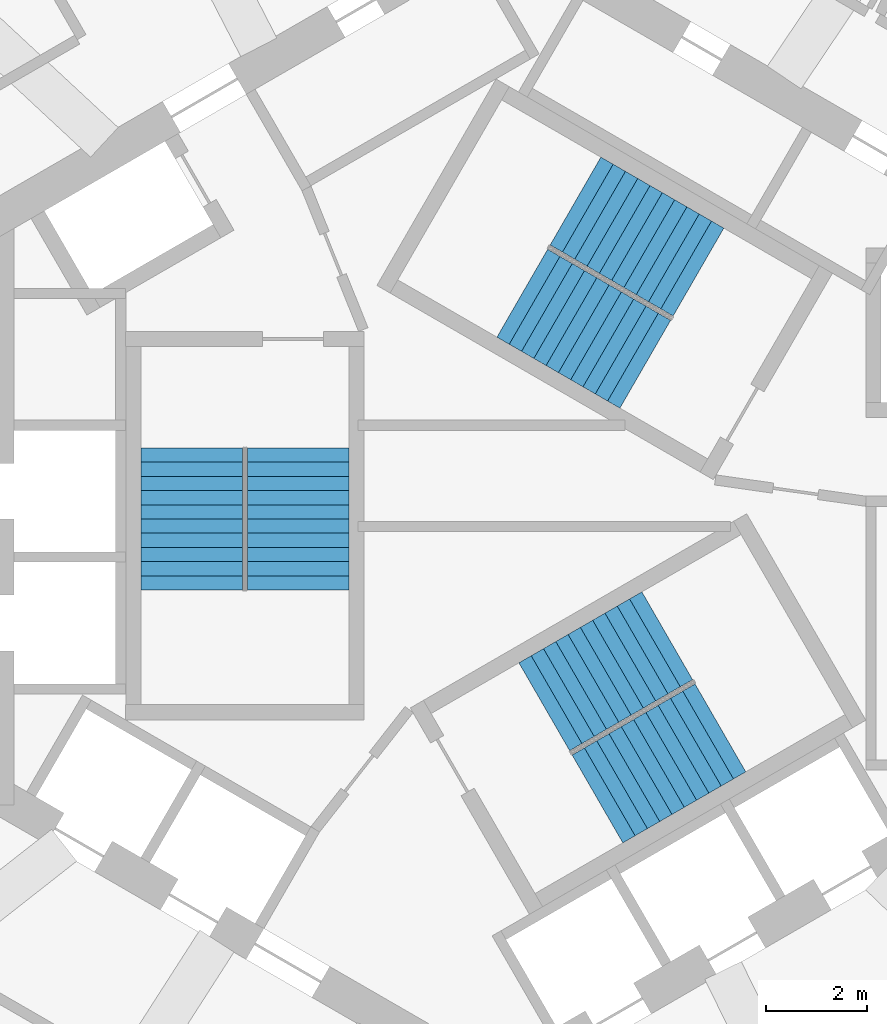
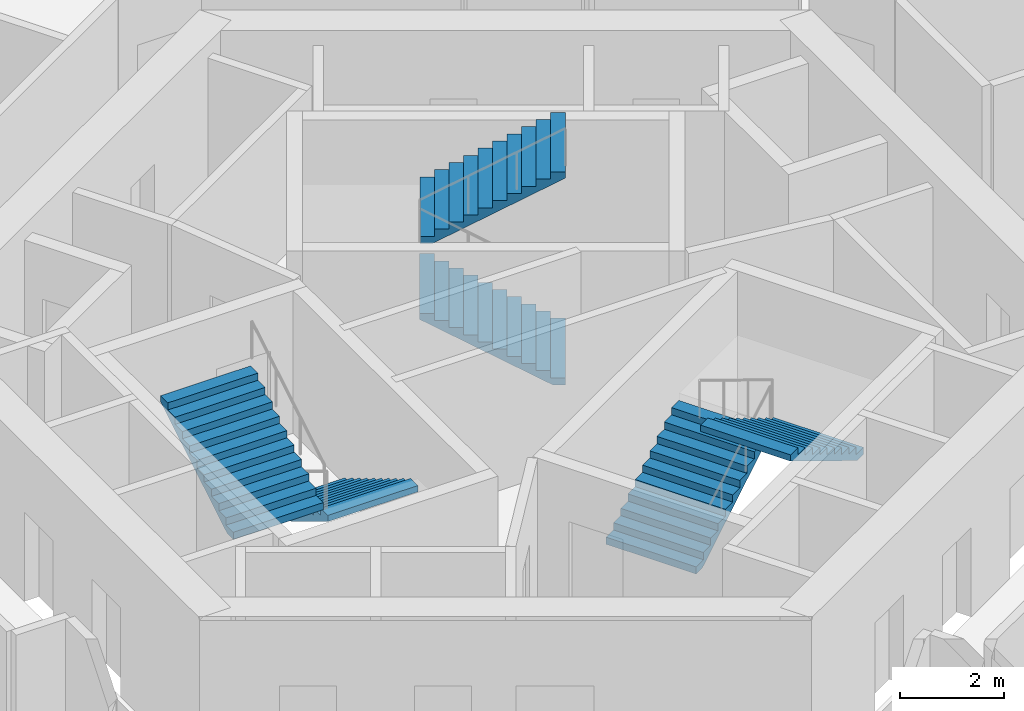
# One storey, part 9 of 11: 6 stair flights, 3 elements without a shape of their own.
"""IFC4 building model written with IfcOpenShell, lengths in metres."""

from ifc_helpers import new_model, si_unit, direction, frame, origin, place, context, subcontext, project, spatial, triangles, source, transform, mapped, material, type_object, element, aggregate, save


model = new_model("IFC4")

# Units and contexts
model_context = context("Model", 3, precision=1e-05, world=origin(), true_north=direction((0.0, 1.0)))
body_context = subcontext(model_context, "Body", "Model", "MODEL_VIEW")
ifc_project = project(units=[si_unit("LENGTHUNIT", "METRE"), si_unit("AREAUNIT", "SQUARE_METRE"), si_unit("VOLUMEUNIT", "CUBIC_METRE"), si_unit("PLANEANGLEUNIT", "RADIAN"), si_unit("MASSUNIT", "GRAM", prefix="KILO")], contexts=[model_context])

# Site, building, storey
site_placement = place(None, origin())
site = spatial("IfcSite", under=ifc_project, at=site_placement, CompositionType="ELEMENT")
building_placement = place(site_placement, origin())
building = spatial("IfcBuilding", under=site, at=building_placement, Name="Vanh Sen Convention Tower", CompositionType="ELEMENT")
storey_placement = place(building_placement, frame((0.0, 0.0, 296.800048828125)))
storey = spatial("IfcBuildingStorey", under=building, at=storey_placement, Name="L73", CompositionType="ELEMENT", Elevation=296.800048828125)

# Stair, stair flights
ifc_material_1 = material(Name="Concrete C50/60", Category="concrete")
stair_type_1 = type_object("IfcStairType", Name="Exit stair ST1 22 risers at 168.2", PredefinedType="HALF_TURN_STAIR", material=ifc_material_1)
stair_1_placement = place(storey_placement, origin())
stair_1 = element("IfcStair", 1, at=stair_1_placement, inside=storey, type_object=stair_type_1, Name="Exit stair ST1 L73", PredefinedType="HALF_TURN_STAIR")
ifc_material_2 = material(Name="Concrete C40/50", Category="concrete")
stair_flight_type = type_object("IfcStairFlightType", Name="Stair flight 2000", PredefinedType="STRAIGHT", material=ifc_material_2)
shared_shape = source(origin(), body_context, "Body", "Tessellation", [
    triangles([(0.24267578125, 1.0, 0.0), (0.0, 1.0, 0.0), (0.0, 1.0, 0.168212890625), (0.280029296875, 1.0, 0.168212890625), (0.280029296875, 1.0, 0.33642578125), (0.56005859375, 1.0, 0.33642578125), (0.56005859375, 1.0, 0.504638671875), (0.840087890625, 1.0, 0.504638671875), (0.840087890625, 1.0, 0.672607421875), (1.1201171875, 1.0, 0.672607421875), (1.1201171875, 1.0, 0.8408203125), (1.39990234375, 1.0, 0.8408203125), (1.39990234375, 1.0, 1.009033203125), (1.679931640625, 1.0, 1.009033203125), (1.679931640625, 1.0, 1.17724609375), (1.9599609375, 1.0, 1.17724609375), (1.9599609375, 1.0, 1.345458984375), (2.239990234375, 1.0, 1.345458984375), (2.239990234375, 1.0, 1.513671875), (2.52001953125, 1.0, 1.513671875), (2.52001953125, 1.0, 1.681884765625), (2.800048828125, 1.0, 1.681884765625), (2.800048828125, 1.0, 1.535888671875), (0.24267578125, -1.0, 0.0), (0.0, -1.0, 0.0), (0.0, -1.0, 0.168212890625), (0.280029296875, -1.0, 0.168212890625), (0.280029296875, -1.0, 0.33642578125), (0.56005859375, -1.0, 0.33642578125), (0.56005859375, -1.0, 0.504638671875), (0.840087890625, -1.0, 0.504638671875), (0.840087890625, -1.0, 0.672607421875), (1.1201171875, -1.0, 0.672607421875), (1.1201171875, -1.0, 0.8408203125), (1.39990234375, -1.0, 0.8408203125), (1.39990234375, -1.0, 1.009033203125), (1.679931640625, -1.0, 1.009033203125), (1.679931640625, -1.0, 1.17724609375), (1.9599609375, -1.0, 1.17724609375), (1.9599609375, -1.0, 1.345458984375), (2.239990234375, -1.0, 1.345458984375), (2.239990234375, -1.0, 1.513671875), (2.52001953125, -1.0, 1.513671875), (2.52001953125, -1.0, 1.681884765625), (2.800048828125, -1.0, 1.681884765625), (2.800048828125, -1.0, 1.535888671875), (0.0, 0.0400390625, 0.0), (0.0, 0.0390625, 0.0), (0.0, 0.0380859375, 0.0), (0.0, 0.037109375, 0.0), (0.0, 0.035888671875, 0.0), (0.0, 0.034912109375, 0.0), (0.0, 0.033935546875, 0.0), (0.0, 0.032958984375, 0.0), (0.0, 0.031982421875, 0.0), (0.0, 0.031005859375, 0.0), (0.0, 0.030029296875, 0.0), (0.0, 0.029052734375, 0.0), (0.0, 0.028076171875, 0.0), (0.0, 0.027099609375, 0.0), (0.0, 0.02587890625, 0.0), (0.0, 0.02490234375, 0.0), (0.0, 0.02392578125, 0.0), (0.0, 0.02294921875, 0.0), (0.0, 0.02197265625, 0.0), (0.0, 0.02099609375, 0.0), (0.0, 0.02001953125, 0.0), (0.0, 0.01904296875, 0.0), (0.0, 0.01806640625, 0.0), (0.0, 0.01708984375, 0.0), (0.0, 0.01611328125, 0.0), (0.0, 0.014892578125, 0.0), (0.0, 0.013916015625, 0.0), (0.0, 0.012939453125, 0.0), (0.0, 0.011962890625, 0.0), (0.0, 0.010986328125, 0.0), (0.0, 0.010009765625, 0.0), (0.0, 0.009033203125, 0.0), (0.0, 0.008056640625, 0.0), (0.0, 0.007080078125, 0.0), (0.0, 0.006103515625, 0.0), (0.0, 0.0048828125, 0.0), (0.0, 0.00390625, 0.0), (0.0, 0.0029296875, 0.0), (0.0, 0.001953125, 0.0), (0.0, 0.0009765625, 0.0), (0.0, 0.0, 0.0), (0.0, -0.0009765625, 0.0), (0.0, -0.001953125, 0.0), (0.0, -0.0029296875, 0.0), (0.0, -0.00390625, 0.0), (0.0, -0.0048828125, 0.0), (0.0, -0.006103515625, 0.0), (0.0, -0.007080078125, 0.0), (0.0, -0.008056640625, 0.0), (0.0, -0.009033203125, 0.0), (0.0, -0.010009765625, 0.0), (0.0, -0.010986328125, 0.0), (0.0, -0.011962890625, 0.0), (0.0, -0.012939453125, 0.0), (0.0, -0.013916015625, 0.0), (0.0, -0.014892578125, 0.0), (0.0, -0.01611328125, 0.0), (0.0, -0.01708984375, 0.0), (0.0, -0.01806640625, 0.0), (0.0, -0.01904296875, 0.0), (0.0, -0.02001953125, 0.0), (0.0, -0.02099609375, 0.0), (0.0, -0.02197265625, 0.0), (0.0, -0.02294921875, 0.0), (0.0, -0.02392578125, 0.0), (0.0, -0.02490234375, 0.0), (0.0, -0.02587890625, 0.0), (0.0, -0.027099609375, 0.0), (0.0, -0.028076171875, 0.0), (0.0, -0.029052734375, 0.0), (0.0, -0.030029296875, 0.0), (0.0, -0.031005859375, 0.0), (0.0, -0.031982421875, 0.0), (0.0, -0.032958984375, 0.0), (0.0, -0.033935546875, 0.0), (0.0, -0.034912109375, 0.0), (0.0, -0.035888671875, 0.0), (0.0, -0.037109375, 0.0), (0.0, -0.0380859375, 0.0), (0.0, -0.0390625, 0.0), (0.0, -0.0400390625, 0.0), (0.0, 0.0400390625, 0.168212890625), (0.0, 0.0390625, 0.168212890625), (0.0, 0.0380859375, 0.168212890625), (0.0, 0.037109375, 0.168212890625), (0.0, 0.035888671875, 0.168212890625), (0.0, 0.034912109375, 0.168212890625), (0.0, 0.033935546875, 0.168212890625), (0.0, 0.032958984375, 0.168212890625), (0.0, 0.031982421875, 0.168212890625), (0.0, 0.031005859375, 0.168212890625), (0.0, 0.030029296875, 0.168212890625), (0.0, 0.029052734375, 0.168212890625), (0.0, 0.028076171875, 0.168212890625), (0.0, 0.027099609375, 0.168212890625), (0.0, 0.02587890625, 0.168212890625), (0.0, 0.02490234375, 0.168212890625), (0.0, 0.02392578125, 0.168212890625), (0.0, 0.02294921875, 0.168212890625), (0.0, 0.02197265625, 0.168212890625), (0.0, 0.02099609375, 0.168212890625), (0.0, 0.02001953125, 0.168212890625), (0.0, 0.01904296875, 0.168212890625), (0.0, 0.01806640625, 0.168212890625), (0.0, 0.01708984375, 0.168212890625), (0.0, 0.01611328125, 0.168212890625), (0.0, 0.014892578125, 0.168212890625), (0.0, 0.013916015625, 0.168212890625), (0.0, 0.012939453125, 0.168212890625), (0.0, 0.011962890625, 0.168212890625), (0.0, 0.010986328125, 0.168212890625), (0.0, 0.010009765625, 0.168212890625), (0.0, 0.009033203125, 0.168212890625), (0.0, 0.008056640625, 0.168212890625), (0.0, 0.007080078125, 0.168212890625), (0.0, 0.006103515625, 0.168212890625), (0.0, 0.0048828125, 0.168212890625), (0.0, 0.00390625, 0.168212890625), (0.0, 0.0029296875, 0.168212890625), (0.0, 0.001953125, 0.168212890625), (0.0, 0.0009765625, 0.168212890625), (0.0, 0.0, 0.168212890625), (0.0, -0.0009765625, 0.168212890625), (0.0, -0.001953125, 0.168212890625), (0.0, -0.0029296875, 0.168212890625), (0.0, -0.00390625, 0.168212890625), (0.0, -0.0048828125, 0.168212890625), (0.0, -0.006103515625, 0.168212890625), (0.0, -0.007080078125, 0.168212890625), (0.0, -0.008056640625, 0.168212890625), (0.0, -0.009033203125, 0.168212890625), (0.0, -0.010009765625, 0.168212890625), (0.0, -0.010986328125, 0.168212890625), (0.0, -0.011962890625, 0.168212890625), (0.0, -0.012939453125, 0.168212890625), (0.0, -0.013916015625, 0.168212890625), (0.0, -0.014892578125, 0.168212890625), (0.0, -0.01611328125, 0.168212890625), (0.0, -0.01708984375, 0.168212890625), (0.0, -0.01806640625, 0.168212890625), (0.0, -0.01904296875, 0.168212890625), (0.0, -0.02001953125, 0.168212890625), (0.0, -0.02099609375, 0.168212890625), (0.0, -0.02197265625, 0.168212890625), (0.0, -0.02294921875, 0.168212890625), (0.0, -0.02392578125, 0.168212890625), (0.0, -0.02490234375, 0.168212890625), (0.0, -0.02587890625, 0.168212890625), (0.0, -0.027099609375, 0.168212890625), (0.0, -0.028076171875, 0.168212890625), (0.0, -0.029052734375, 0.168212890625), (0.0, -0.030029296875, 0.168212890625), (0.0, -0.031005859375, 0.168212890625), (0.0, -0.031982421875, 0.168212890625), (0.0, -0.032958984375, 0.168212890625), (0.0, -0.033935546875, 0.168212890625), (0.0, -0.034912109375, 0.168212890625), (0.0, -0.035888671875, 0.168212890625), (0.0, -0.037109375, 0.168212890625), (0.0, -0.0380859375, 0.168212890625), (0.0, -0.0390625, 0.168212890625), (0.0, -0.0400390625, 0.168212890625), (0.280029296875, 0.0, 0.168212890625), (0.280029296875, 0.0, 0.33642578125), (0.56005859375, 0.0, 0.33642578125), (0.56005859375, 0.0, 0.504638671875), (0.840087890625, 0.0, 0.504638671875), (0.840087890625, 0.0, 0.672607421875), (1.1201171875, 0.0, 0.672607421875), (1.1201171875, 0.0, 0.8408203125), (1.39990234375, 0.0, 0.8408203125), (1.39990234375, 0.0, 1.009033203125), (1.679931640625, 0.0, 1.009033203125), (1.679931640625, 0.0, 1.17724609375), (1.9599609375, 0.0, 1.17724609375), (1.9599609375, 0.0, 1.345458984375), (2.239990234375, 0.0, 1.345458984375), (2.239990234375, 0.0, 1.513671875), (2.52001953125, 0.0, 1.513671875), (2.52001953125, 0.0, 1.681884765625), (2.800048828125, 0.0400390625, 1.681884765625), (2.800048828125, 0.0390625, 1.681884765625), (2.800048828125, 0.0380859375, 1.681884765625), (2.800048828125, 0.037109375, 1.681884765625), (2.800048828125, 0.035888671875, 1.681884765625), (2.800048828125, 0.034912109375, 1.681884765625), (2.800048828125, 0.033935546875, 1.681884765625), (2.800048828125, 0.032958984375, 1.681884765625), (2.800048828125, 0.031982421875, 1.681884765625), (2.800048828125, 0.031005859375, 1.681884765625), (2.800048828125, 0.030029296875, 1.681884765625), (2.800048828125, 0.029052734375, 1.681884765625), (2.800048828125, 0.028076171875, 1.681884765625), (2.800048828125, 0.027099609375, 1.681884765625), (2.800048828125, 0.02587890625, 1.681884765625), (2.800048828125, 0.02490234375, 1.681884765625), (2.800048828125, 0.02392578125, 1.681884765625), (2.800048828125, 0.02294921875, 1.681884765625), (2.800048828125, 0.02197265625, 1.681884765625), (2.800048828125, 0.02099609375, 1.681884765625), (2.800048828125, 0.02001953125, 1.681884765625), (2.800048828125, 0.01904296875, 1.681884765625), (2.800048828125, 0.01806640625, 1.681884765625), (2.800048828125, 0.01708984375, 1.681884765625), (2.800048828125, 0.01611328125, 1.681884765625), (2.800048828125, 0.014892578125, 1.681884765625), (2.800048828125, 0.013916015625, 1.681884765625), (2.800048828125, 0.012939453125, 1.681884765625), (2.800048828125, 0.011962890625, 1.681884765625), (2.800048828125, 0.010986328125, 1.681884765625), (2.800048828125, 0.010009765625, 1.681884765625), (2.800048828125, 0.009033203125, 1.681884765625), (2.800048828125, 0.008056640625, 1.681884765625), (2.800048828125, 0.007080078125, 1.681884765625), (2.800048828125, 0.006103515625, 1.681884765625), (2.800048828125, 0.0048828125, 1.681884765625), (2.800048828125, 0.00390625, 1.681884765625), (2.800048828125, 0.0029296875, 1.681884765625), (2.800048828125, 0.001953125, 1.681884765625), (2.800048828125, 0.0009765625, 1.681884765625), (2.800048828125, 0.0, 1.681884765625), (2.800048828125, -0.0009765625, 1.681884765625), (2.800048828125, -0.001953125, 1.681884765625), (2.800048828125, -0.0029296875, 1.681884765625), (2.800048828125, -0.00390625, 1.681884765625), (2.800048828125, -0.0048828125, 1.681884765625), (2.800048828125, -0.006103515625, 1.681884765625), (2.800048828125, -0.007080078125, 1.681884765625), (2.800048828125, -0.008056640625, 1.681884765625), (2.800048828125, -0.009033203125, 1.681884765625), (2.800048828125, -0.010009765625, 1.681884765625), (2.800048828125, -0.010986328125, 1.681884765625), (2.800048828125, -0.011962890625, 1.681884765625), (2.800048828125, -0.012939453125, 1.681884765625), (2.800048828125, -0.013916015625, 1.681884765625), (2.800048828125, -0.014892578125, 1.681884765625), (2.800048828125, -0.01611328125, 1.681884765625), (2.800048828125, -0.01708984375, 1.681884765625), (2.800048828125, -0.01806640625, 1.681884765625), (2.800048828125, -0.01904296875, 1.681884765625), (2.800048828125, -0.02001953125, 1.681884765625), (2.800048828125, -0.02099609375, 1.681884765625), (2.800048828125, -0.02197265625, 1.681884765625), (2.800048828125, -0.02294921875, 1.681884765625), (2.800048828125, -0.02392578125, 1.681884765625), (2.800048828125, -0.02490234375, 1.681884765625), (2.800048828125, -0.02587890625, 1.681884765625), (2.800048828125, -0.027099609375, 1.681884765625), (2.800048828125, -0.028076171875, 1.681884765625), (2.800048828125, -0.029052734375, 1.681884765625), (2.800048828125, -0.030029296875, 1.681884765625), (2.800048828125, -0.031005859375, 1.681884765625), (2.800048828125, -0.031982421875, 1.681884765625), (2.800048828125, -0.032958984375, 1.681884765625), (2.800048828125, -0.033935546875, 1.681884765625), (2.800048828125, -0.034912109375, 1.681884765625), (2.800048828125, -0.035888671875, 1.681884765625), (2.800048828125, -0.037109375, 1.681884765625), (2.800048828125, -0.0380859375, 1.681884765625), (2.800048828125, -0.0390625, 1.681884765625), (2.800048828125, -0.0400390625, 1.681884765625), (2.800048828125, 0.0400390625, 1.535888671875), (2.800048828125, 0.0390625, 1.535888671875), (2.800048828125, 0.0380859375, 1.535888671875), (2.800048828125, 0.037109375, 1.535888671875), (2.800048828125, 0.035888671875, 1.535888671875), (2.800048828125, 0.034912109375, 1.535888671875), (2.800048828125, 0.033935546875, 1.535888671875), (2.800048828125, 0.032958984375, 1.535888671875), (2.800048828125, 0.031982421875, 1.535888671875), (2.800048828125, 0.031005859375, 1.535888671875), (2.800048828125, 0.030029296875, 1.535888671875), (2.800048828125, 0.029052734375, 1.535888671875), (2.800048828125, 0.028076171875, 1.535888671875), (2.800048828125, 0.027099609375, 1.535888671875), (2.800048828125, 0.02587890625, 1.535888671875), (2.800048828125, 0.02490234375, 1.535888671875), (2.800048828125, 0.02392578125, 1.535888671875), (2.800048828125, 0.02294921875, 1.535888671875), (2.800048828125, 0.02197265625, 1.535888671875), (2.800048828125, 0.02099609375, 1.535888671875), (2.800048828125, 0.02001953125, 1.535888671875), (2.800048828125, 0.01904296875, 1.535888671875), (2.800048828125, 0.01806640625, 1.535888671875), (2.800048828125, 0.01708984375, 1.535888671875), (2.800048828125, 0.01611328125, 1.535888671875), (2.800048828125, 0.014892578125, 1.535888671875), (2.800048828125, 0.013916015625, 1.535888671875), (2.800048828125, 0.012939453125, 1.535888671875), (2.800048828125, 0.011962890625, 1.535888671875), (2.800048828125, 0.010986328125, 1.535888671875), (2.800048828125, 0.010009765625, 1.535888671875), (2.800048828125, 0.009033203125, 1.535888671875), (2.800048828125, 0.008056640625, 1.535888671875), (2.800048828125, 0.007080078125, 1.535888671875), (2.800048828125, 0.006103515625, 1.535888671875), (2.800048828125, 0.0048828125, 1.535888671875), (2.800048828125, 0.00390625, 1.535888671875), (2.800048828125, 0.0029296875, 1.535888671875), (2.800048828125, 0.001953125, 1.535888671875), (2.800048828125, 0.0009765625, 1.535888671875), (2.800048828125, 0.0, 1.535888671875), (2.800048828125, -0.0009765625, 1.535888671875), (2.800048828125, -0.001953125, 1.535888671875), (2.800048828125, -0.0029296875, 1.535888671875), (2.800048828125, -0.00390625, 1.535888671875), (2.800048828125, -0.0048828125, 1.535888671875), (2.800048828125, -0.006103515625, 1.535888671875), (2.800048828125, -0.007080078125, 1.535888671875), (2.800048828125, -0.008056640625, 1.535888671875), (2.800048828125, -0.009033203125, 1.535888671875), (2.800048828125, -0.010009765625, 1.535888671875), (2.800048828125, -0.010986328125, 1.535888671875), (2.800048828125, -0.011962890625, 1.535888671875), (2.800048828125, -0.012939453125, 1.535888671875), (2.800048828125, -0.013916015625, 1.535888671875), (2.800048828125, -0.014892578125, 1.535888671875), (2.800048828125, -0.01611328125, 1.535888671875), (2.800048828125, -0.01708984375, 1.535888671875), (2.800048828125, -0.01806640625, 1.535888671875), (2.800048828125, -0.01904296875, 1.535888671875), (2.800048828125, -0.02001953125, 1.535888671875), (2.800048828125, -0.02099609375, 1.535888671875), (2.800048828125, -0.02197265625, 1.535888671875), (2.800048828125, -0.02294921875, 1.535888671875), (2.800048828125, -0.02392578125, 1.535888671875), (2.800048828125, -0.02490234375, 1.535888671875), (2.800048828125, -0.02587890625, 1.535888671875), (2.800048828125, -0.027099609375, 1.535888671875), (2.800048828125, -0.028076171875, 1.535888671875), (2.800048828125, -0.029052734375, 1.535888671875), (2.800048828125, -0.030029296875, 1.535888671875), (2.800048828125, -0.031005859375, 1.535888671875), (2.800048828125, -0.031982421875, 1.535888671875), (2.800048828125, -0.032958984375, 1.535888671875), (2.800048828125, -0.033935546875, 1.535888671875), (2.800048828125, -0.034912109375, 1.535888671875), (2.800048828125, -0.035888671875, 1.535888671875), (2.800048828125, -0.037109375, 1.535888671875), (2.800048828125, -0.0380859375, 1.535888671875), (2.800048828125, -0.0390625, 1.535888671875), (2.800048828125, -0.0400390625, 1.535888671875), (0.24267578125, 0.0, 0.0)], [[1, 2, 3], [1, 3, 4], [4, 5, 6], [1, 4, 6], [6, 7, 8], [1, 6, 8], [8, 9, 10], [1, 8, 10], [10, 11, 12], [1, 10, 12], [12, 13, 14], [1, 12, 14], [14, 15, 16], [1, 14, 16], [16, 17, 18], [1, 16, 18], [18, 19, 20], [1, 18, 20], [20, 21, 22], [1, 20, 22], [22, 23, 1], [24, 26, 25], [24, 27, 26], [27, 29, 28], [24, 29, 27], [29, 31, 30], [24, 31, 29], [31, 33, 32], [24, 33, 31], [33, 35, 34], [24, 35, 33], [35, 37, 36], [24, 37, 35], [37, 39, 38], [24, 39, 37], [39, 41, 40], [24, 41, 39], [41, 43, 42], [24, 43, 41], [43, 45, 44], [24, 45, 43], [45, 24, 46], [2, 128, 3], [2, 47, 128], [47, 129, 128], [47, 48, 129], [48, 130, 129], [48, 49, 130], [49, 131, 130], [49, 50, 131], [50, 132, 131], [50, 51, 132], [51, 133, 132], [51, 52, 133], [52, 134, 133], [52, 53, 134], [53, 135, 134], [53, 54, 135], [54, 136, 135], [54, 55, 136], [55, 137, 136], [55, 56, 137], [56, 138, 137], [56, 57, 138], [57, 139, 138], [57, 58, 139], [58, 140, 139], [58, 59, 140], [59, 141, 140], [59, 60, 141], [60, 142, 141], [60, 61, 142], [61, 143, 142], [61, 62, 143], [62, 144, 143], [62, 63, 144], [63, 145, 144], [63, 64, 145], [64, 146, 145], [64, 65, 146], [65, 147, 146], [65, 66, 147], [66, 148, 147], [66, 67, 148], [67, 149, 148], [67, 68, 149], [68, 150, 149], [68, 69, 150], [69, 151, 150], [69, 70, 151], [70, 152, 151], [70, 71, 152], [71, 153, 152], [71, 72, 153], [72, 154, 153], [72, 73, 154], [73, 155, 154], [73, 74, 155], [74, 156, 155], [74, 75, 156], [75, 157, 156], [75, 76, 157], [76, 158, 157], [76, 77, 158], [77, 159, 158], [77, 78, 159], [78, 160, 159], [78, 79, 160], [79, 161, 160], [79, 80, 161], [80, 162, 161], [80, 81, 162], [81, 163, 162], [81, 82, 163], [82, 164, 163], [82, 83, 164], [83, 165, 164], [83, 84, 165], [84, 166, 165], [84, 85, 166], [85, 167, 166], [85, 86, 167], [86, 168, 167], [86, 87, 168], [87, 88, 168], [168, 88, 169], [88, 89, 169], [169, 89, 170], [89, 90, 170], [170, 90, 171], [90, 91, 171], [171, 91, 172], [91, 92, 172], [172, 92, 173], [92, 93, 173], [173, 93, 174], [93, 94, 174], [174, 94, 175], [94, 95, 175], [175, 95, 176], [95, 96, 176], [176, 96, 177], [96, 97, 177], [177, 97, 178], [97, 98, 178], [178, 98, 179], [98, 99, 179], [179, 99, 180], [99, 100, 180], [180, 100, 181], [100, 101, 181], [181, 101, 182], [101, 102, 182], [182, 102, 183], [102, 103, 183], [183, 103, 184], [103, 104, 184], [184, 104, 185], [104, 105, 185], [185, 105, 186], [105, 106, 186], [186, 106, 187], [106, 107, 187], [187, 107, 188], [107, 108, 188], [188, 108, 189], [108, 109, 189], [189, 109, 190], [109, 110, 190], [190, 110, 191], [110, 111, 191], [191, 111, 192], [111, 112, 192], [192, 112, 193], [112, 113, 193], [193, 113, 194], [113, 114, 194], [194, 114, 195], [114, 115, 195], [195, 115, 196], [115, 116, 196], [196, 116, 197], [116, 117, 197], [197, 117, 198], [117, 118, 198], [198, 118, 199], [118, 119, 199], [199, 119, 200], [119, 120, 200], [200, 120, 201], [120, 121, 201], [201, 121, 202], [121, 122, 202], [202, 122, 203], [122, 123, 203], [203, 123, 204], [123, 124, 204], [204, 124, 205], [124, 125, 205], [205, 125, 206], [125, 126, 206], [206, 126, 207], [126, 127, 207], [207, 127, 208], [127, 25, 208], [208, 25, 26], [4, 3, 128], [4, 128, 129], [4, 129, 130], [4, 130, 131], [4, 131, 132], [4, 132, 133], [4, 133, 134], [4, 134, 135], [4, 135, 136], [4, 136, 137], [4, 137, 138], [4, 138, 139], [4, 139, 140], [4, 140, 141], [4, 141, 142], [4, 142, 143], [4, 143, 144], [4, 144, 145], [4, 145, 146], [4, 146, 147], [4, 147, 148], [4, 148, 149], [4, 149, 150], [4, 150, 151], [4, 151, 152], [4, 152, 153], [4, 153, 154], [4, 154, 155], [4, 155, 156], [4, 156, 157], [4, 157, 158], [4, 158, 159], [4, 159, 160], [4, 160, 161], [4, 161, 162], [4, 162, 163], [4, 163, 164], [4, 164, 165], [4, 165, 166], [4, 166, 167], [4, 167, 168], [27, 168, 169], [27, 169, 170], [27, 170, 171], [27, 171, 172], [27, 172, 173], [27, 173, 174], [27, 174, 175], [27, 175, 176], [27, 176, 177], [27, 177, 178], [27, 178, 179], [27, 179, 180], [27, 180, 181], [27, 181, 182], [27, 182, 183], [27, 183, 184], [27, 184, 185], [27, 185, 186], [27, 186, 187], [27, 187, 188], [27, 188, 189], [27, 189, 190], [27, 190, 191], [27, 191, 192], [27, 192, 193], [27, 193, 194], [27, 194, 195], [27, 195, 196], [27, 196, 197], [27, 197, 198], [27, 198, 199], [27, 199, 200], [27, 200, 201], [27, 201, 202], [27, 202, 203], [27, 203, 204], [27, 204, 205], [27, 205, 206], [27, 206, 207], [27, 207, 208], [27, 208, 26], [4, 168, 209], [27, 209, 168], [4, 210, 5], [4, 209, 210], [209, 27, 210], [210, 27, 28], [5, 211, 6], [5, 210, 211], [210, 28, 211], [211, 28, 29], [6, 212, 7], [6, 211, 212], [211, 29, 212], [212, 29, 30], [7, 213, 8], [7, 212, 213], [212, 30, 213], [213, 30, 31], [8, 214, 9], [8, 213, 214], [213, 31, 214], [214, 31, 32], [9, 215, 10], [9, 214, 215], [214, 32, 215], [215, 32, 33], [10, 216, 11], [10, 215, 216], [215, 33, 216], [216, 33, 34], [11, 217, 12], [11, 216, 217], [216, 34, 217], [217, 34, 35], [12, 218, 13], [12, 217, 218], [217, 35, 218], [218, 35, 36], [13, 219, 14], [13, 218, 219], [218, 36, 219], [219, 36, 37], [14, 220, 15], [14, 219, 220], [219, 37, 220], [220, 37, 38], [15, 221, 16], [15, 220, 221], [220, 38, 221], [221, 38, 39], [16, 222, 17], [16, 221, 222], [221, 39, 222], [222, 39, 40], [17, 223, 18], [17, 222, 223], [222, 40, 223], [223, 40, 41], [18, 224, 19], [18, 223, 224], [223, 41, 224], [224, 41, 42], [19, 225, 20], [19, 224, 225], [224, 42, 225], [225, 42, 43], [20, 226, 21], [20, 225, 226], [225, 43, 226], [226, 43, 44], [21, 227, 22], [21, 228, 227], [21, 229, 228], [21, 230, 229], [21, 231, 230], [21, 232, 231], [21, 233, 232], [21, 234, 233], [21, 235, 234], [21, 236, 235], [21, 237, 236], [21, 238, 237], [21, 239, 238], [21, 240, 239], [21, 241, 240], [21, 242, 241], [21, 243, 242], [21, 244, 243], [21, 245, 244], [21, 246, 245], [21, 247, 246], [21, 248, 247], [21, 249, 248], [21, 250, 249], [21, 251, 250], [21, 252, 251], [21, 253, 252], [21, 254, 253], [21, 255, 254], [21, 256, 255], [21, 257, 256], [21, 258, 257], [21, 259, 258], [21, 260, 259], [21, 261, 260], [21, 262, 261], [21, 263, 262], [21, 264, 263], [21, 265, 264], [21, 266, 265], [21, 267, 266], [44, 268, 267], [44, 269, 268], [44, 270, 269], [44, 271, 270], [44, 272, 271], [44, 273, 272], [44, 274, 273], [44, 275, 274], [44, 276, 275], [44, 277, 276], [44, 278, 277], [44, 279, 278], [44, 280, 279], [44, 281, 280], [44, 282, 281], [44, 283, 282], [44, 284, 283], [44, 285, 284], [44, 286, 285], [44, 287, 286], [44, 288, 287], [44, 289, 288], [44, 290, 289], [44, 291, 290], [44, 292, 291], [44, 293, 292], [44, 294, 293], [44, 295, 294], [44, 296, 295], [44, 297, 296], [44, 298, 297], [44, 299, 298], [44, 300, 299], [44, 301, 300], [44, 302, 301], [44, 303, 302], [44, 304, 303], [44, 305, 304], [44, 306, 305], [44, 307, 306], [44, 45, 307], [21, 226, 267], [44, 267, 226], [22, 308, 23], [22, 227, 308], [227, 309, 308], [227, 228, 309], [228, 310, 309], [228, 229, 310], [229, 311, 310], [229, 230, 311], [230, 312, 311], [230, 231, 312], [231, 313, 312], [231, 232, 313], [232, 314, 313], [232, 233, 314], [233, 315, 314], [233, 234, 315], [234, 316, 315], [234, 235, 316], [235, 317, 316], [235, 236, 317], [236, 318, 317], [236, 237, 318], [237, 319, 318], [237, 238, 319], [238, 320, 319], [238, 239, 320], [239, 321, 320], [239, 240, 321], [240, 322, 321], [240, 241, 322], [241, 323, 322], [241, 242, 323], [242, 324, 323], [242, 243, 324], [243, 325, 324], [243, 244, 325], [244, 326, 325], [244, 245, 326], [245, 327, 326], [245, 246, 327], [246, 328, 327], [246, 247, 328], [247, 329, 328], [247, 248, 329], [248, 330, 329], [248, 249, 330], [249, 331, 330], [249, 250, 331], [250, 332, 331], [250, 251, 332], [251, 333, 332], [251, 252, 333], [252, 334, 333], [252, 253, 334], [253, 335, 334], [253, 254, 335], [254, 336, 335], [254, 255, 336], [255, 337, 336], [255, 256, 337], [256, 338, 337], [256, 257, 338], [257, 339, 338], [257, 258, 339], [258, 340, 339], [258, 259, 340], [259, 341, 340], [259, 260, 341], [260, 342, 341], [260, 261, 342], [261, 343, 342], [261, 262, 343], [262, 344, 343], [262, 263, 344], [263, 345, 344], [263, 264, 345], [264, 346, 345], [264, 265, 346], [265, 347, 346], [265, 266, 347], [266, 348, 347], [266, 267, 348], [267, 268, 348], [348, 268, 349], [268, 269, 349], [349, 269, 350], [269, 270, 350], [350, 270, 351], [270, 271, 351], [351, 271, 352], [271, 272, 352], [352, 272, 353], [272, 273, 353], [353, 273, 354], [273, 274, 354], [354, 274, 355], [274, 275, 355], [355, 275, 356], [275, 276, 356], [356, 276, 357], [276, 277, 357], [357, 277, 358], [277, 278, 358], [358, 278, 359], [278, 279, 359], [359, 279, 360], [279, 280, 360], [360, 280, 361], [280, 281, 361], [361, 281, 362], [281, 282, 362], [362, 282, 363], [282, 283, 363], [363, 283, 364], [283, 284, 364], [364, 284, 365], [284, 285, 365], [365, 285, 366], [285, 286, 366], [366, 286, 367], [286, 287, 367], [367, 287, 368], [287, 288, 368], [368, 288, 369], [288, 289, 369], [369, 289, 370], [289, 290, 370], [370, 290, 371], [290, 291, 371], [371, 291, 372], [291, 292, 372], [372, 292, 373], [292, 293, 373], [373, 293, 374], [293, 294, 374], [374, 294, 375], [294, 295, 375], [375, 295, 376], [295, 296, 376], [376, 296, 377], [296, 297, 377], [377, 297, 378], [297, 298, 378], [378, 298, 379], [298, 299, 379], [379, 299, 380], [299, 300, 380], [380, 300, 381], [300, 301, 381], [381, 301, 382], [301, 302, 382], [382, 302, 383], [302, 303, 383], [383, 303, 384], [303, 304, 384], [384, 304, 385], [304, 305, 385], [385, 305, 386], [305, 306, 386], [386, 306, 387], [306, 307, 387], [387, 307, 388], [307, 45, 388], [388, 45, 46], [1, 23, 308], [1, 308, 309], [1, 309, 310], [1, 310, 311], [1, 311, 312], [1, 312, 313], [1, 313, 314], [1, 314, 315], [1, 315, 316], [1, 316, 317], [1, 317, 318], [1, 318, 319], [1, 319, 320], [1, 320, 321], [1, 321, 322], [1, 322, 323], [1, 323, 324], [1, 324, 325], [1, 325, 326], [1, 326, 327], [1, 327, 328], [1, 328, 329], [1, 329, 330], [1, 330, 331], [1, 331, 332], [1, 332, 333], [1, 333, 334], [1, 334, 335], [1, 335, 336], [1, 336, 337], [1, 337, 338], [1, 338, 339], [1, 339, 340], [1, 340, 341], [1, 341, 342], [1, 342, 343], [1, 343, 344], [1, 344, 345], [1, 345, 346], [1, 346, 347], [1, 347, 348], [24, 348, 349], [24, 349, 350], [24, 350, 351], [24, 351, 352], [24, 352, 353], [24, 353, 354], [24, 354, 355], [24, 355, 356], [24, 356, 357], [24, 357, 358], [24, 358, 359], [24, 359, 360], [24, 360, 361], [24, 361, 362], [24, 362, 363], [24, 363, 364], [24, 364, 365], [24, 365, 366], [24, 366, 367], [24, 367, 368], [24, 368, 369], [24, 369, 370], [24, 370, 371], [24, 371, 372], [24, 372, 373], [24, 373, 374], [24, 374, 375], [24, 375, 376], [24, 376, 377], [24, 377, 378], [24, 378, 379], [24, 379, 380], [24, 380, 381], [24, 381, 382], [24, 382, 383], [24, 383, 384], [24, 384, 385], [24, 385, 386], [24, 386, 387], [24, 387, 388], [24, 388, 46], [1, 348, 389], [24, 389, 348], [1, 47, 2], [1, 48, 47], [1, 49, 48], [1, 50, 49], [1, 51, 50], [1, 52, 51], [1, 53, 52], [1, 54, 53], [1, 55, 54], [1, 56, 55], [1, 57, 56], [1, 58, 57], [1, 59, 58], [1, 60, 59], [1, 61, 60], [1, 62, 61], [1, 63, 62], [1, 64, 63], [1, 65, 64], [1, 66, 65], [1, 67, 66], [1, 68, 67], [1, 69, 68], [1, 70, 69], [1, 71, 70], [1, 72, 71], [1, 73, 72], [1, 74, 73], [1, 75, 74], [1, 76, 75], [1, 77, 76], [1, 78, 77], [1, 79, 78], [1, 80, 79], [1, 81, 80], [1, 82, 81], [1, 83, 82], [1, 84, 83], [1, 85, 84], [1, 86, 85], [1, 87, 86], [24, 88, 87], [24, 89, 88], [24, 90, 89], [24, 91, 90], [24, 92, 91], [24, 93, 92], [24, 94, 93], [24, 95, 94], [24, 96, 95], [24, 97, 96], [24, 98, 97], [24, 99, 98], [24, 100, 99], [24, 101, 100], [24, 102, 101], [24, 103, 102], [24, 104, 103], [24, 105, 104], [24, 106, 105], [24, 107, 106], [24, 108, 107], [24, 109, 108], [24, 110, 109], [24, 111, 110], [24, 112, 111], [24, 113, 112], [24, 114, 113], [24, 115, 114], [24, 116, 115], [24, 117, 116], [24, 118, 117], [24, 119, 118], [24, 120, 119], [24, 121, 120], [24, 122, 121], [24, 123, 122], [24, 124, 123], [24, 125, 124], [24, 126, 125], [24, 127, 126], [24, 25, 127], [1, 389, 87], [24, 87, 389]], closed=True),
])
stair_flight_1_placement = place(storey_placement, frame((2.94580078125, 2.802490234375, 0.0), z_axis=(0.0, 0.0, 1.0), x_axis=(-0.866025403784, 0.5, 0.0)))
stair_flight_1 = element("IfcStairFlight", 2, at=stair_flight_1_placement, type_object=stair_flight_type, Name="ST1 flight 1", NumberOfRisers=11, NumberOfTreads=10, PredefinedType="STRAIGHT", RiserHeight=0.168181818, TreadLength=0.28, context=body_context, shape_type="MappedRepresentation", body=[
    mapped(shared_shape, transform((0.0, 0.0, 0.0))),
])
stair_flight_2_placement = place(storey_placement, frame((1.571044921875, 6.021240234375, 1.849853515625), z_axis=(0.0, 0.0, 1.0), x_axis=(0.866025403784, -0.5, 0.0)))
stair_flight_2 = element("IfcStairFlight", 3, at=stair_flight_2_placement, type_object=stair_flight_type, Name="ST1 flight 2", NumberOfRisers=11, NumberOfTreads=10, PredefinedType="STRAIGHT", RiserHeight=0.168181818, TreadLength=0.28, context=body_context, shape_type="MappedRepresentation", body=[
    mapped(shared_shape, transform((0.0, 0.0, 0.0))),
])
aggregate(stair_1, [stair_flight_1, stair_flight_2])

stair_type_2 = type_object("IfcStairType", Name="Exit stair ST2 22 risers at 168.2", PredefinedType="HALF_TURN_STAIR", material=ifc_material_1)
stair_2_placement = place(storey_placement, origin())
stair_2 = element("IfcStair", 4, at=stair_2_placement, inside=storey, type_object=stair_type_2, Name="Exit stair ST2 L73", PredefinedType="HALF_TURN_STAIR")
stair_flight_3_placement = place(storey_placement, frame((-3.89990234375, 1.14990234375, 0.0), z_axis=(0.0, 0.0, 1.0), x_axis=(0.0, -1.0, 0.0)))
stair_flight_3 = element("IfcStairFlight", 5, at=stair_flight_3_placement, type_object=stair_flight_type, Name="ST2 flight 1", NumberOfRisers=11, NumberOfTreads=10, PredefinedType="STRAIGHT", RiserHeight=0.168181818, TreadLength=0.28, context=body_context, shape_type="MappedRepresentation", body=[
    mapped(shared_shape, transform((0.0, 0.0, 0.0))),
])
stair_flight_4_placement = place(storey_placement, frame((-6.0, -1.64990234375, 1.849853515625), z_axis=(0.0, 0.0, 1.0), x_axis=(0.0, 1.0, 0.0)))
stair_flight_4 = element("IfcStairFlight", 6, at=stair_flight_4_placement, type_object=stair_flight_type, Name="ST2 flight 2", NumberOfRisers=11, NumberOfTreads=10, PredefinedType="STRAIGHT", RiserHeight=0.168181818, TreadLength=0.28, context=body_context, shape_type="MappedRepresentation", body=[
    mapped(shared_shape, transform((0.0, 0.0, 0.0))),
])
aggregate(stair_2, [stair_flight_3, stair_flight_4])

stair_type_3 = type_object("IfcStairType", Name="Exit stair ST3 22 risers at 168.2", PredefinedType="HALF_TURN_STAIR", material=ifc_material_1)
stair_3_placement = place(storey_placement, origin())
stair_3 = element("IfcStair", 7, at=stair_3_placement, inside=storey, type_object=stair_type_3, Name="Exit stair ST3 L73", PredefinedType="HALF_TURN_STAIR")
stair_flight_5_placement = place(storey_placement, frame((0.9541015625, -3.952392578125, 0.0), z_axis=(0.0, 0.0, 1.0), x_axis=(0.866025403784, 0.5, 0.0)))
stair_flight_5 = element("IfcStairFlight", 8, at=stair_flight_5_placement, type_object=stair_flight_type, Name="ST3 flight 1", NumberOfRisers=11, NumberOfTreads=10, PredefinedType="STRAIGHT", RiserHeight=0.168181818, TreadLength=0.28, context=body_context, shape_type="MappedRepresentation", body=[
    mapped(shared_shape, transform((0.0, 0.0, 0.0))),
])
stair_flight_6_placement = place(storey_placement, frame((4.428955078125, -4.37109375, 1.849853515625), z_axis=(0.0, 0.0, 1.0), x_axis=(-0.866025403784, -0.5, 0.0)))
stair_flight_6 = element("IfcStairFlight", 9, at=stair_flight_6_placement, type_object=stair_flight_type, Name="ST3 flight 2", NumberOfRisers=11, NumberOfTreads=10, PredefinedType="STRAIGHT", RiserHeight=0.168181818, TreadLength=0.28, context=body_context, shape_type="MappedRepresentation", body=[
    mapped(shared_shape, transform((0.0, 0.0, 0.0))),
])
aggregate(stair_3, [stair_flight_5, stair_flight_6])

save(model, "model.ifc")
